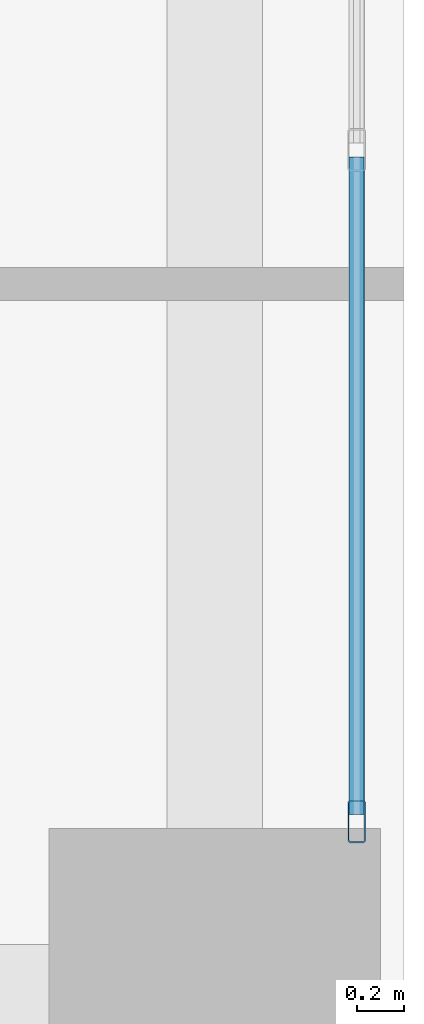
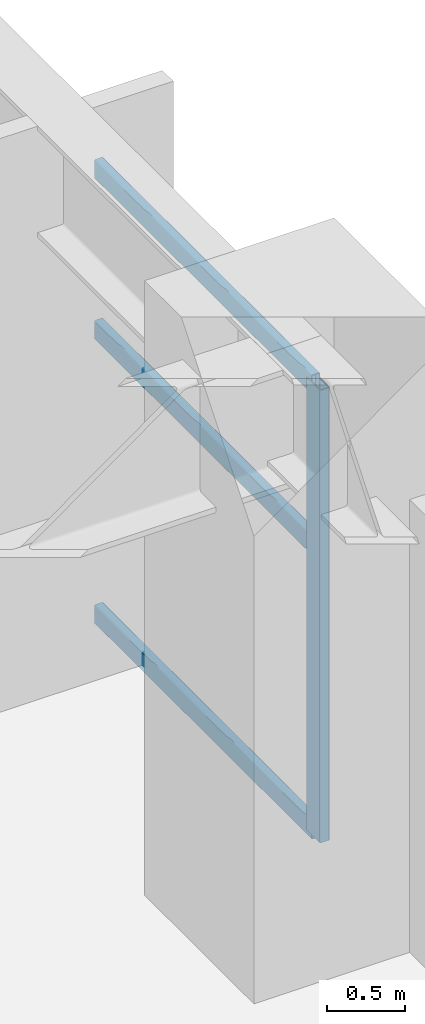
# One storey, part 13 of 28: 4 members, 1 element without a shape of its own.
"""IFC4 building model written with IfcOpenShell, lengths in metres."""

from ifc_helpers import new_model, si_unit, direction, frame, origin, origin_2d, place, context, subcontext, project, spatial, hollow_rectangle, extrude, material, layer, layer_set, material_profile, profile_set, type_object, element, aggregate, save


model = new_model("IFC4")

# Units and contexts
model_context = context("Model", 3, precision=1e-05, world=origin(), true_north=direction((0.0, 1.0)))
body_context = subcontext(model_context, "Body", "Model", "MODEL_VIEW")
ifc_project = project(units=[si_unit("LENGTHUNIT", "METRE"), si_unit("AREAUNIT", "SQUARE_METRE"), si_unit("VOLUMEUNIT", "CUBIC_METRE"), si_unit("PLANEANGLEUNIT", "RADIAN"), si_unit("MASSUNIT", "GRAM", prefix="KILO")], contexts=[model_context])

# Site, building, storey
site_placement = place(None, origin())
site = spatial("IfcSite", under=ifc_project, at=site_placement, CompositionType="ELEMENT")
building_placement = place(site_placement, origin())
building = spatial("IfcBuilding", under=site, at=building_placement, Name="Soratama Intermodal Tower", CompositionType="ELEMENT")
storey_placement = place(building_placement, frame((0.0, 0.0, 11.39990234375)))
storey = spatial("IfcBuildingStorey", under=building, at=storey_placement, Name="L02", CompositionType="ELEMENT", Elevation=11.39990234375)

# Curtain wall, members
ifc_material_1 = material(Name="Double-glazed aluminium curtain wall", Category="aluminium")
ifc_layer = layer(ifc_material_1, 0.159912109375)
ifc_layer_set = layer_set([ifc_layer], Name="Double-glazed aluminium curtain wall")
curtain_wall_type = type_object("IfcCurtainWallType", Name="CW-SYS-1", PredefinedType="NOTDEFINED", material=ifc_layer_set)
curtain_wall_placement = place(storey_placement, origin())
curtain_wall = element("IfcCurtainWall", 1, at=curtain_wall_placement, inside=storey, type_object=curtain_wall_type, Name="L02 Station Curtain Wall E1", PredefinedType="NOTDEFINED")
ifc_material_2 = material(Name="Anodised aluminium AA 6063-T6", Category="aluminium")
ifc_material_profile_1 = material_profile(ifc_material_2, hollow_rectangle(XDim=0.074951171875, YDim=0.179931640625, WallThickness=0.006103515625, InnerFilletRadius=0.006103515625, OuterFilletRadius=0.011962890625, at=origin_2d()), Name="CWM180X75X6")
ifc_profile_set_1 = profile_set([ifc_material_profile_1], Name="Anodised aluminium AA 6063-T6")
member_type_1 = type_object("IfcMemberType", Name="MT-CWM-1", PredefinedType="MULLION", material=ifc_profile_set_1)
member_1_placement = place(storey_placement, frame((83.800048828125, 15.72998046875, 0.0), z_axis=(0.0, 0.0, 1.0), x_axis=(-1.0, 0.0, 0.0)))
member_1 = element("IfcMember", 2, at=member_1_placement, type_object=member_type_1, Name="CW-1 mullion 1", PredefinedType="MULLION", context=body_context, shape_type="SweptSolid", body=[
    extrude(hollow_rectangle(XDim=0.074951171875, YDim=0.179931640625, WallThickness=0.006103515625, InnerFilletRadius=0.006103515625, OuterFilletRadius=0.011962890625, at=origin_2d()), origin(), (0.0, 0.0, 1.0), 3.5361328125),
])
ifc_material_3 = material(Name="Anodised aluminium AA 6063-T6", Category="aluminium")
ifc_material_profile_2 = material_profile(ifc_material_3, hollow_rectangle(XDim=0.06494140625, YDim=0.14990234375, WallThickness=0.0048828125, InnerFilletRadius=0.0048828125, OuterFilletRadius=0.010009765625, at=origin_2d()), Name="CWT150X65X5")
ifc_profile_set_2 = profile_set([ifc_material_profile_2], Name="Anodised aluminium AA 6063-T6")
member_type_2 = type_object("IfcMemberType", Name="TT-CWT-1", PredefinedType="USERDEFINED", material=ifc_profile_set_2)
member_2_placement = place(storey_placement, frame((83.800048828125, 15.760009765625, 0.030029296875), z_axis=(0.0, 1.0, 0.0), x_axis=(-1.0, 0.0, 0.0)))
member_2 = element("IfcMember", 3, at=member_2_placement, type_object=member_type_2, Name="CW-1 transom 1.1", ObjectType="TRANSOM", PredefinedType="USERDEFINED", context=body_context, shape_type="SweptSolid", body=[
    extrude(hollow_rectangle(XDim=0.06494140625, YDim=0.14990234375, WallThickness=0.0048828125, InnerFilletRadius=0.0048828125, OuterFilletRadius=0.010009765625, at=origin_2d()), origin(), (0.0, 0.0, 1.0), 2.776611328125),
])
member_3_placement = place(storey_placement, frame((83.800048828125, 15.760009765625, 2.25), z_axis=(0.0, 1.0, 0.0), x_axis=(-1.0, 0.0, 0.0)))
member_3 = element("IfcMember", 4, at=member_3_placement, type_object=member_type_2, Name="CW-1 transom 1.2", ObjectType="TRANSOM", PredefinedType="USERDEFINED", context=body_context, shape_type="SweptSolid", body=[
    extrude(hollow_rectangle(XDim=0.06494140625, YDim=0.14990234375, WallThickness=0.0048828125, InnerFilletRadius=0.0048828125, OuterFilletRadius=0.010009765625, at=origin_2d()), origin(), (0.0, 0.0, 1.0), 2.776611328125),
])
member_4_placement = place(storey_placement, frame((83.800048828125, 15.760009765625, 3.506103515625), z_axis=(0.0, 1.0, 0.0), x_axis=(-1.0, 0.0, 0.0)))
member_4 = element("IfcMember", 5, at=member_4_placement, type_object=member_type_2, Name="CW-1 transom 1.3", ObjectType="TRANSOM", PredefinedType="USERDEFINED", context=body_context, shape_type="SweptSolid", body=[
    extrude(hollow_rectangle(XDim=0.06494140625, YDim=0.14990234375, WallThickness=0.0048828125, InnerFilletRadius=0.0048828125, OuterFilletRadius=0.010009765625, at=origin_2d()), origin(), (0.0, 0.0, 1.0), 2.776611328125),
])
aggregate(curtain_wall, [member_1, member_2, member_3, member_4])

save(model, "model.ifc")
